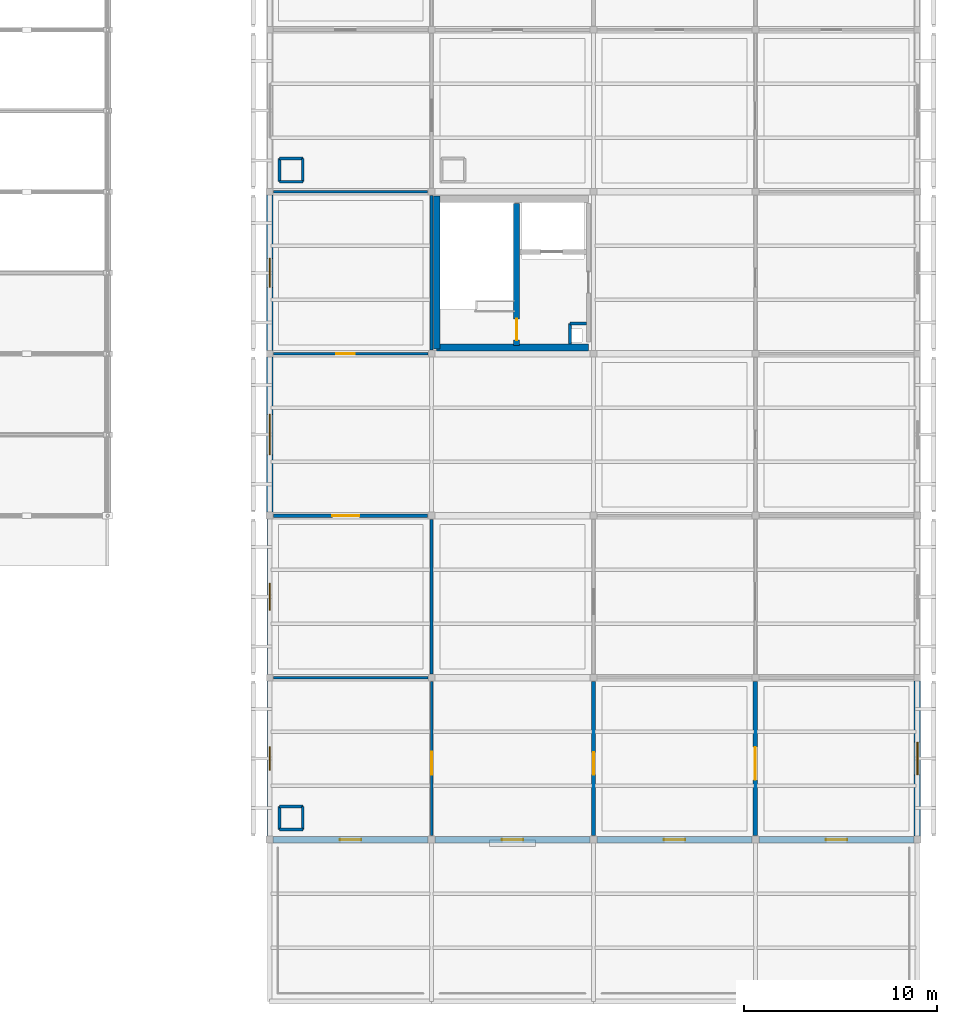
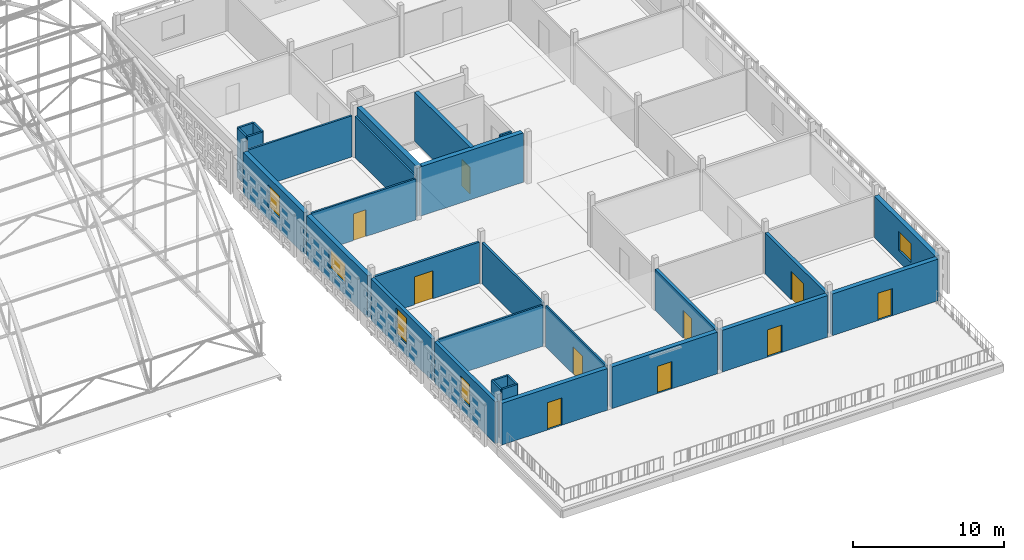
# One storey, part 74 of 103: 31 walls, 10 doors, 5 windows, 15 openings.
"""IFC4 building model written with IfcOpenShell, lengths in metres."""

from ifc_helpers import new_model, si_unit, direction, frame, frame_2d, origin, place, context, subcontext, project, spatial, rectangle, extrude, material, layer, layer_set, type_object, element, fill, save


model = new_model("IFC4")

# Units and contexts
model_context = context("Model", 3, precision=1e-05, world=origin(), true_north=direction((0.0, 1.0)))
body_context = subcontext(model_context, "Body", "Model", "MODEL_VIEW")
ifc_project = project(units=[si_unit("LENGTHUNIT", "METRE"), si_unit("AREAUNIT", "SQUARE_METRE"), si_unit("VOLUMEUNIT", "CUBIC_METRE"), si_unit("PLANEANGLEUNIT", "RADIAN"), si_unit("MASSUNIT", "GRAM", prefix="KILO")], contexts=[model_context])

# Site, building, storey
site_placement = place(None, origin())
site = spatial("IfcSite", under=ifc_project, at=site_placement, CompositionType="ELEMENT")
building_placement = place(site_placement, origin())
building = spatial("IfcBuilding", under=site, at=building_placement, Name="Varnapada Polytechnic", CompositionType="ELEMENT")
storey_placement = place(building_placement, frame((0.0, 0.0, 18.0)))
storey = spatial("IfcBuildingStorey", under=building, at=storey_placement, Name="L04", CompositionType="ELEMENT", Elevation=18.0)

# Walls
ifc_material_1 = material(Name="Autoclaved Aerated Concrete Block AAC-600", Category="concrete")
ifc_layer_1 = layer(ifc_material_1, 0.14990234375)
ifc_layer_set_1 = layer_set([ifc_layer_1], Name="Autoclaved Aerated Concrete Block AAC-600")
wall_type_1 = type_object("IfcWallType", Name="Interior Wall IW-02", PredefinedType="PARTITIONING", material=ifc_layer_set_1)
wall_1_placement = place(storey_placement, frame((158.3798828125, 93.9599609375, 0.0), z_axis=(0.0, 0.0, 1.0), x_axis=(0.0, -1.0, 0.0)))
element("IfcWall", 1, at=wall_1_placement, inside=storey, type_object=wall_type_1, Name="L04 C5 riser shaft west wall", PredefinedType="PARTITIONING", context=body_context, shape_type="SweptSolid", body=[
    extrude(rectangle(XDim=1.06005859375, YDim=0.14990234375, at=frame_2d((0.530029296875, 0.0))), origin(), (0.0, 0.0, 1.0), 3.320068359375),
])
wall_2_placement = place(storey_placement, frame((158.3798828125, 93.9599609375, 0.0), z_axis=(0.0, 0.0, 1.0), x_axis=(1.0, 0.0, 0.0)))
element("IfcWall", 2, at=wall_2_placement, inside=storey, type_object=wall_type_1, Name="L04 C5 riser shaft north wall", PredefinedType="PARTITIONING", context=body_context, shape_type="SweptSolid", body=[
    extrude(rectangle(XDim=0.860107421875, YDim=0.14990234375, at=frame_2d((0.43017578125, 0.0))), origin(), (0.0, 0.0, 1.0), 3.320068359375),
])
for number, where, z_axis, x_axis, name in (
    (3, (143.320068359375, 67.719970703125, 0.0), (0.0, 0.0, 1.0), (1.0, 0.0, 0.0), "L04 enclosed service riser wall (18,9) S"),
    (4, (144.52001953125, 67.719970703125, 0.0), (0.0, 0.0, 1.0), (0.0, 1.0, 0.0), "L04 enclosed service riser wall (18,9) E"),
    (5, (144.52001953125, 68.919921875, 0.0), (0.0, 0.0, 1.0), (-1.0, 0.0, 0.0), "L04 enclosed service riser wall (18,9) N"),
    (6, (143.320068359375, 68.919921875, 0.0), (0.0, 0.0, 1.0), (0.0, -1.0, 0.0), "L04 enclosed service riser wall (18,9) W"),
    (7, (143.320068359375, 101.320068359375, 0.0), (0.0, 0.0, 1.0), (1.0, 0.0, 0.0), "L04 enclosed service riser wall (18,13) S"),
    (8, (144.52001953125, 101.320068359375, 0.0), (0.0, 0.0, 1.0), (0.0, 1.0, 0.0), "L04 enclosed service riser wall (18,13) E"),
    (9, (144.52001953125, 102.52001953125, 0.0), (0.0, 0.0, 1.0), (-1.0, 0.0, 0.0), "L04 enclosed service riser wall (18,13) N"),
    (10, (143.320068359375, 102.52001953125, 0.0), (0.0, 0.0, 1.0), (0.0, -1.0, 0.0), "L04 enclosed service riser wall (18,13) W"),
):
    element("IfcWall", number, at=place(storey_placement, frame(where, z_axis=z_axis, x_axis=x_axis)), inside=storey, type_object=wall_type_1, Name=name, PredefinedType="PARTITIONING", context=body_context, shape_type="SweptSolid", body=[
        extrude(rectangle(XDim=1.199951171875, YDim=0.14990234375, at=frame_2d((0.60009765625, 0.0))), origin(), (0.0, 0.0, 1.0), 3.97998046875),
    ])

# Wall, opening, door
ifc_material_2 = material(Name="Gypsum Plasterboard Acoustic Partition")
ifc_layer_2 = layer(ifc_material_2, 0.125)
ifc_layer_set_2 = layer_set([ifc_layer_2], Name="Gypsum Plasterboard Acoustic Partition")
wall_type_2 = type_object("IfcWallType", Name="Interior Wall IW-03", PredefinedType="PARTITIONING", material=ifc_layer_set_2)
wall_3_placement = place(storey_placement, frame((151.199951171875, 67.39990234375, 0.0), z_axis=(0.0, 0.0, 1.0), x_axis=(0.0, 1.0, 0.0)))
wall_3 = element("IfcWall", 11, at=wall_3_placement, inside=storey, type_object=wall_type_2, Name="L04 interior partition IW-L04-17-08-V", PredefinedType="PARTITIONING", context=body_context, shape_type="SweptSolid", body=[
    extrude(rectangle(XDim=8.010009765625, YDim=0.125, at=frame_2d((4.0048828125, 0.0))), origin(), (0.0, 0.0, 1.0), 3.320068359375),
])
opening_1_placement = place(wall_3_placement, frame((3.14990234375, 0.0, 0.0)))
opening_1 = element("IfcOpeningElement", 12, at=opening_1_placement, cuts=wall_3, Name="Opening D-1295", PredefinedType="OPENING", context=body_context, shape_type="SweptSolid", body=[
    extrude(rectangle(XDim=1.199951171875, YDim=2.199951171875, at=frame_2d((0.60009765625, 1.10009765625))), frame((0.0, 0.072509765625, 0.0), z_axis=(0.0, -1.0, 0.0), x_axis=(1.0, 0.0, 0.0)), (0.0, 0.0, 1.0), 0.14501953125),
])
ifc_material_3 = material(Name="Solid Teak Hardwood Timber", Category="wood")
door_type_1 = type_object("IfcDoorType", Name="Interior Door ID-05", OperationType="NOTDEFINED", PredefinedType="DOOR", material=ifc_material_3)
door_1_placement = place(opening_1_placement, frame((1.199951171875, 0.0, 0.0), z_axis=(0.0, 0.0, 1.0), x_axis=(-1.0, 0.0, 0.0)))
door_1 = element("IfcDoor", 13, at=door_1_placement, inside=storey, type_object=door_type_1, Name="L04 interior room door D-1295", OperationType="SINGLE_SWING_RIGHT", OverallHeight=2.199951171875, OverallWidth=1.199951171875, PredefinedType="DOOR", context=body_context, shape_type="SweptSolid", body=[
    extrude(rectangle(XDim=1.199951171875, YDim=2.199951171875, at=frame_2d((0.60009765625, 1.10009765625))), frame((0.0, 0.02490234375, 0.0), z_axis=(0.0, -1.0, 0.0), x_axis=(1.0, 0.0, 0.0)), (0.0, 0.0, 1.0), 0.050048828125),
])
fill(opening_1, door_1)

# Wall
ifc_material_4 = material(Name="Moisture-Resistant Cement Board Partition")
ifc_layer_3 = layer(ifc_material_4, 0.139892578125)
ifc_layer_set_3 = layer_set([ifc_layer_3], Name="Moisture-Resistant Cement Board Partition")
wall_type_3 = type_object("IfcWallType", Name="Interior Wall IW-04", PredefinedType="PARTITIONING", material=ifc_layer_set_3)
wall_4_placement = place(storey_placement, frame((142.989990234375, 75.60009765625, 0.0), z_axis=(0.0, 0.0, 1.0), x_axis=(1.0, 0.0, 0.0)))
element("IfcWall", 14, at=wall_4_placement, inside=storey, type_object=wall_type_3, Name="L04 interior partition IW-L04-17-08-H", PredefinedType="PARTITIONING", context=body_context, shape_type="SweptSolid", body=[
    extrude(rectangle(XDim=8.02001953125, YDim=0.139892578125, at=frame_2d((4.010009765625, 0.0))), origin(), (0.0, 0.0, 1.0), 3.320068359375),
])

# Wall, opening, door
wall_5_placement = place(storey_placement, frame((142.989990234375, 92.39990234375, 0.0), z_axis=(0.0, 0.0, 1.0), x_axis=(1.0, 0.0, 0.0)))
wall_5 = element("IfcWall", 15, at=wall_5_placement, inside=storey, type_object=wall_type_3, Name="L04 interior partition IW-L04-17-10-H", PredefinedType="PARTITIONING", context=body_context, shape_type="SweptSolid", body=[
    extrude(rectangle(XDim=8.02001953125, YDim=0.139892578125, at=frame_2d((4.010009765625, 0.0))), origin(), (0.0, 0.0, 1.0), 3.320068359375),
])
opening_2_placement = place(wall_5_placement, frame((3.27490234375, 0.0, 0.0)))
opening_2 = element("IfcOpeningElement", 16, at=opening_2_placement, cuts=wall_5, Name="Opening D-1297", PredefinedType="OPENING", context=body_context, shape_type="SweptSolid", body=[
    extrude(rectangle(XDim=0.949951171875, YDim=2.14990234375, at=frame_2d((0.47509765625, 1.074951171875))), frame((0.0, 0.079833984375, 0.0), z_axis=(0.0, -1.0, 0.0), x_axis=(1.0, 0.0, 0.0)), (0.0, 0.0, 1.0), 0.159912109375),
])
ifc_material_5 = material(Name="Moisture-Resistant HPL Timber", Category="wood")
door_type_2 = type_object("IfcDoorType", Name="Interior Door ID-03", OperationType="NOTDEFINED", PredefinedType="DOOR", material=ifc_material_5)
door_2_placement = place(opening_2_placement, origin())
door_2 = element("IfcDoor", 17, at=door_2_placement, inside=storey, type_object=door_type_2, Name="L04 interior room door D-1297", OperationType="SINGLE_SWING_RIGHT", OverallHeight=2.14990234375, OverallWidth=0.949951171875, PredefinedType="DOOR", context=body_context, shape_type="SweptSolid", body=[
    extrude(rectangle(XDim=0.949951171875, YDim=2.14990234375, at=frame_2d((0.47509765625, 1.074951171875))), frame((0.0, 0.02490234375, 0.0), z_axis=(0.0, -1.0, 0.0), x_axis=(1.0, 0.0, 0.0)), (0.0, 0.0, 1.0), 0.050048828125),
])
fill(opening_2, door_2)

# Walls
wall_6_placement = place(storey_placement, frame((151.199951171875, 92.590087890625, 0.0), z_axis=(0.0, 0.0, 1.0), x_axis=(0.0, 1.0, 0.0)))
element("IfcWall", 18, at=wall_6_placement, inside=storey, type_object=wall_type_3, Name="L04 interior partition IW-L04-17-11-V", PredefinedType="PARTITIONING", context=body_context, shape_type="SweptSolid", body=[
    extrude(rectangle(XDim=8.010009765625, YDim=0.139892578125, at=frame_2d((4.0048828125, 0.0))), origin(), (0.0, 0.0, 1.0), 3.320068359375),
])
wall_7_placement = place(storey_placement, frame((143.0, 100.800048828125, 0.0), z_axis=(0.0, 0.0, 1.0), x_axis=(1.0, 0.0, 0.0)))
element("IfcWall", 19, at=wall_7_placement, inside=storey, type_object=wall_type_3, Name="L04 interior partition IW-L04-17-11-H", PredefinedType="PARTITIONING", context=body_context, shape_type="SweptSolid", body=[
    extrude(rectangle(XDim=8.0, YDim=0.139892578125, at=frame_2d((4.0, 0.0))), origin(), (0.0, 0.0, 1.0), 3.320068359375),
])
ifc_material_6 = material(Name="Cross-laminated timber CLT C24", Category="wood")
ifc_layer_4 = layer(ifc_material_6, 0.159912109375)
ifc_layer_set_4 = layer_set([ifc_layer_4], Name="Cross-laminated timber CLT C24")
wall_type_4 = type_object("IfcWallType", Name="Interior Wall IW-05", PredefinedType="PARTITIONING", material=ifc_layer_set_4)
wall_8_placement = place(storey_placement, frame((151.199951171875, 75.7900390625, 0.0), z_axis=(0.0, 0.0, 1.0), x_axis=(0.0, 1.0, 0.0)))
element("IfcWall", 20, at=wall_8_placement, inside=storey, type_object=wall_type_4, Name="L04 interior partition IW-L04-17-09-V", PredefinedType="PARTITIONING", context=body_context, shape_type="SweptSolid", body=[
    extrude(rectangle(XDim=8.010009765625, YDim=0.159912109375, at=frame_2d((4.0048828125, 0.0))), origin(), (0.0, 0.0, 1.0), 3.320068359375),
])

# Wall, opening, door
ifc_material_7 = material(Name="Acoustic Double-Stud Studio Partition")
ifc_layer_5 = layer(ifc_material_7, 0.179931640625)
ifc_layer_set_5 = layer_set([ifc_layer_5], Name="Acoustic Double-Stud Studio Partition")
wall_type_5 = type_object("IfcWallType", Name="Interior Wall IW-06", PredefinedType="PARTITIONING", material=ifc_layer_set_5)
wall_9_placement = place(storey_placement, frame((143.0, 84.0, 0.0), z_axis=(0.0, 0.0, 1.0), x_axis=(1.0, 0.0, 0.0)))
wall_9 = element("IfcWall", 21, at=wall_9_placement, inside=storey, type_object=wall_type_5, Name="L04 interior partition IW-L04-17-09-H", PredefinedType="PARTITIONING", context=body_context, shape_type="SweptSolid", body=[
    extrude(rectangle(XDim=8.0, YDim=0.179931640625, at=frame_2d((4.0, 0.0))), origin(), (0.0, 0.0, 1.0), 3.320068359375),
])
opening_3_placement = place(wall_9_placement, frame((3.050048828125, 0.0, 0.0)))
opening_3 = element("IfcOpeningElement", 22, at=opening_3_placement, cuts=wall_9, Name="Opening D-1296", PredefinedType="OPENING", context=body_context, shape_type="SweptSolid", body=[
    extrude(rectangle(XDim=1.39990234375, YDim=2.25, at=frame_2d((0.699951171875, 1.125))), frame((0.0, 0.099853515625, 0.0), z_axis=(0.0, -1.0, 0.0), x_axis=(1.0, 0.0, 0.0)), (0.0, 0.0, 1.0), 0.199951171875),
])
ifc_material_8 = material(Name="Powder-Coated Aluminium 6063-T6", Category="aluminium")
door_type_3 = type_object("IfcDoorType", Name="Interior Door ID-06", OperationType="NOTDEFINED", PredefinedType="DOOR", material=ifc_material_8)
door_3_placement = place(opening_3_placement, origin())
door_3 = element("IfcDoor", 23, at=door_3_placement, inside=storey, type_object=door_type_3, Name="L04 interior room door D-1296", OperationType="SINGLE_SWING_LEFT", OverallHeight=2.25, OverallWidth=1.39990234375, PredefinedType="DOOR", context=body_context, shape_type="SweptSolid", body=[
    extrude(rectangle(XDim=1.39990234375, YDim=2.25, at=frame_2d((0.699951171875, 1.125))), frame((0.0, 0.02490234375, 0.0), z_axis=(0.0, -1.0, 0.0), x_axis=(1.0, 0.0, 0.0)), (0.0, 0.0, 1.0), 0.050048828125),
])
fill(opening_3, door_3)

ifc_material_9 = material(Name="Heavy Acoustic Auditorium Baffle Wall")
ifc_layer_6 = layer(ifc_material_9, 0.219970703125)
ifc_layer_set_6 = layer_set([ifc_layer_6], Name="Heavy Acoustic Auditorium Baffle Wall")
wall_type_6 = type_object("IfcWallType", Name="Interior Wall IW-13", PredefinedType="PARTITIONING", material=ifc_layer_set_6)
wall_10_placement = place(storey_placement, frame((159.60009765625, 67.39990234375, 0.0), z_axis=(0.0, 0.0, 1.0), x_axis=(0.0, 1.0, 0.0)))
wall_10 = element("IfcWall", 24, at=wall_10_placement, inside=storey, type_object=wall_type_6, Name="L04 interior partition IW-L04-18-08-V", PredefinedType="PARTITIONING", context=body_context, shape_type="SweptSolid", body=[
    extrude(rectangle(XDim=8.010009765625, YDim=0.219970703125, at=frame_2d((4.0048828125, 0.0))), origin(), (0.0, 0.0, 1.0), 3.320068359375),
])
opening_4_placement = place(wall_10_placement, frame((3.175048828125, 0.0, 0.0)))
opening_4 = element("IfcOpeningElement", 25, at=opening_4_placement, cuts=wall_10, Name="Opening D-1300", PredefinedType="OPENING", context=body_context, shape_type="SweptSolid", body=[
    extrude(rectangle(XDim=1.14990234375, YDim=2.25, at=frame_2d((0.574951171875, 1.125))), frame((0.0, 0.119873046875, 0.0), z_axis=(0.0, -1.0, 0.0), x_axis=(1.0, 0.0, 0.0)), (0.0, 0.0, 1.0), 0.239990234375),
])
door_type_4 = type_object("IfcDoorType", Name="Interior Door ID-10", OperationType="NOTDEFINED", PredefinedType="DOOR", material=ifc_material_8)
door_4_placement = place(opening_4_placement, origin())
door_4 = element("IfcDoor", 26, at=door_4_placement, inside=storey, type_object=door_type_4, Name="L04 interior room door D-1300", OperationType="SINGLE_SWING_LEFT", OverallHeight=2.25, OverallWidth=1.14990234375, PredefinedType="DOOR", context=body_context, shape_type="SweptSolid", body=[
    extrude(rectangle(XDim=1.14990234375, YDim=2.25, at=frame_2d((0.574951171875, 1.125))), frame((0.0, 0.02490234375, 0.0), z_axis=(0.0, -1.0, 0.0), x_axis=(1.0, 0.0, 0.0)), (0.0, 0.0, 1.0), 0.050048828125),
])
fill(opening_4, door_4)

ifc_material_10 = material(Name="Double-Leaf Acoustic Lecture Wall")
ifc_layer_7 = layer(ifc_material_10, 0.235107421875)
ifc_layer_set_7 = layer_set([ifc_layer_7], Name="Double-Leaf Acoustic Lecture Wall")
wall_type_7 = type_object("IfcWallType", Name="Interior Wall IW-17", PredefinedType="PARTITIONING", material=ifc_layer_set_7)
wall_11_placement = place(storey_placement, frame((168.0, 67.39990234375, 0.0), z_axis=(0.0, 0.0, 1.0), x_axis=(0.0, 1.0, 0.0)))
wall_11 = element("IfcWall", 27, at=wall_11_placement, inside=storey, type_object=wall_type_7, Name="L04 interior partition IW-L04-19-08-V", PredefinedType="PARTITIONING", context=body_context, shape_type="SweptSolid", body=[
    extrude(rectangle(XDim=8.010009765625, YDim=0.235107421875, at=frame_2d((4.0048828125, 0.0))), origin(), (0.0, 0.0, 1.0), 3.320068359375),
])
opening_5_placement = place(wall_11_placement, frame((2.89990234375, 0.0, 0.0)))
opening_5 = element("IfcOpeningElement", 28, at=opening_5_placement, cuts=wall_11, Name="Opening D-1303", PredefinedType="OPENING", context=body_context, shape_type="SweptSolid", body=[
    extrude(rectangle(XDim=1.699951171875, YDim=2.300048828125, at=frame_2d((0.85009765625, 1.14990234375))), frame((0.0, 0.12744140625, 0.0), z_axis=(0.0, -1.0, 0.0), x_axis=(1.0, 0.0, 0.0)), (0.0, 0.0, 1.0), 0.255126953125),
])
ifc_material_11 = material(Name="Acoustic Double Timber Leaf", Category="wood")
door_type_5 = type_object("IfcDoorType", Name="Interior Door ID-13", OperationType="NOTDEFINED", PredefinedType="DOOR", material=ifc_material_11)
door_5_placement = place(opening_5_placement, origin())
door_5 = element("IfcDoor", 29, at=door_5_placement, inside=storey, type_object=door_type_5, Name="L04 interior room door D-1303", OperationType="SINGLE_SWING_RIGHT", OverallHeight=2.300048828125, OverallWidth=1.699951171875, PredefinedType="DOOR", context=body_context, shape_type="SweptSolid", body=[
    extrude(rectangle(XDim=1.699951171875, YDim=2.300048828125, at=frame_2d((0.85009765625, 1.14990234375))), frame((0.0, 0.02490234375, 0.0), z_axis=(0.0, -1.0, 0.0), x_axis=(1.0, 0.0, 0.0)), (0.0, 0.0, 1.0), 0.050048828125),
])
fill(opening_5, door_5)

# Walls
ifc_material_12 = material(Name="Concrete C40/50", Category="concrete")
ifc_layer_8 = layer(ifc_material_12, 0.35009765625)
ifc_layer_set_8 = layer_set([ifc_layer_8], Name="Concrete C40/50")
wall_type_8 = type_object("IfcWallType", Name="Interior Wall SW-01", PredefinedType="SHEAR", material=ifc_layer_set_8)
wall_12_placement = place(storey_placement, frame((151.465087890625, 92.64990234375, 0.0), z_axis=(0.0, 0.0, 1.0), x_axis=(0.0, 1.0, 0.0)))
element("IfcWall", 30, at=wall_12_placement, inside=storey, type_object=wall_type_8, Name="L04 C5 stair west shear wall", PredefinedType="SHEAR", context=body_context, shape_type="SweptSolid", body=[
    extrude(rectangle(XDim=7.940185546875, YDim=0.35009765625, at=frame_2d((3.97021484375, 0.0))), origin(), (0.0, 0.0, 1.0), 3.97998046875),
])
wall_13_placement = place(storey_placement, frame((159.340087890625, 92.719970703125, 0.0), z_axis=(0.0, 0.0, 1.0), x_axis=(-1.0, 0.0, 0.0)))
element("IfcWall", 31, at=wall_13_placement, inside=storey, type_object=wall_type_8, Name="L04 C5 core south shear wall", PredefinedType="SHEAR", context=body_context, shape_type="SweptSolid", body=[
    extrude(rectangle(XDim=7.875, YDim=0.35009765625, at=frame_2d((3.9375, 0.0))), origin(), (0.0, 0.0, 1.0), 3.97998046875),
])

# Wall, opening, door
ifc_layer_9 = layer(ifc_material_12, 0.300048828125)
ifc_layer_set_9 = layer_set([ifc_layer_9], Name="Concrete C40/50")
wall_type_9 = type_object("IfcWallType", Name="Interior Wall SW-02", PredefinedType="SHEAR", material=ifc_layer_set_9)
wall_14_placement = place(storey_placement, frame((155.610107421875, 92.820068359375, 0.0), z_axis=(0.0, 0.0, 1.0), x_axis=(0.0, 1.0, 0.0)))
wall_14 = element("IfcWall", 32, at=wall_14_placement, inside=storey, type_object=wall_type_9, Name="L04 C5 stair-lobby dividing shear wall", PredefinedType="SHEAR", context=body_context, shape_type="SweptSolid", body=[
    extrude(rectangle(XDim=7.3798828125, YDim=0.300048828125, at=frame_2d((3.68994140625, 0.0))), origin(), (0.0, 0.0, 1.0), 3.97998046875),
])
opening_6_placement = place(wall_14_placement, frame((0.280029296875, 0.0, 0.0)))
opening_6 = element("IfcOpeningElement", 33, at=opening_6_placement, cuts=wall_14, Name="Opening D-1266", PredefinedType="OPENING", context=body_context, shape_type="SweptSolid", body=[
    extrude(rectangle(XDim=1.10009765625, YDim=2.14990234375, at=frame_2d((0.550048828125, 1.074951171875))), frame((0.0, 0.159912109375, 0.0), z_axis=(0.0, -1.0, 0.0), x_axis=(1.0, 0.0, 0.0)), (0.0, 0.0, 1.0), 0.320068359375),
])
ifc_material_13 = material(Name="Galvanized Steel Z275", Category="steel")
door_type_6 = type_object("IfcDoorType", Name="Interior Door ID-01", OperationType="NOTDEFINED", PredefinedType="DOOR", material=ifc_material_13)
door_6_placement = place(opening_6_placement, origin())
door_6 = element("IfcDoor", 34, at=door_6_placement, inside=storey, type_object=door_type_6, Name="L04 C5 exit stair door D-1266", OperationType="SINGLE_SWING_LEFT", OverallHeight=2.14990234375, OverallWidth=1.10009765625, PredefinedType="DOOR", context=body_context, shape_type="SweptSolid", body=[
    extrude(rectangle(XDim=1.10009765625, YDim=2.14990234375, at=frame_2d((0.550048828125, 1.074951171875))), frame((0.0, 0.02490234375, 0.0), z_axis=(0.0, -1.0, 0.0), x_axis=(1.0, 0.0, 0.0)), (0.0, 0.0, 1.0), 0.050048828125),
])
fill(opening_6, door_6)

# Wall, opening, window
ifc_material_14 = material(Name="Precast concrete C40/50", Category="concrete")
ifc_layer_10 = layer(ifc_material_14, 0.260009765625)
ifc_layer_set_10 = layer_set([ifc_layer_10], Name="Precast concrete C40/50")
wall_type_10 = type_object("IfcWallType", Name="Wall EW-03", PredefinedType="SOLIDWALL", material=ifc_layer_set_10)
wall_15_placement = place(storey_placement, frame((142.800048828125, 67.3798828125, 0.0), z_axis=(0.0, 0.0, 1.0), x_axis=(0.0, 1.0, 0.0)))
wall_15 = element("IfcWall", 35, at=wall_15_placement, inside=storey, type_object=wall_type_10, Name="L04 exterior wall EW-03 (42)", PredefinedType="SOLIDWALL", context=body_context, shape_type="SweptSolid", body=[
    extrude(rectangle(XDim=8.050048828125, YDim=0.260009765625, at=frame_2d((4.02490234375, 0.0))), origin(), (0.0, 0.0, 1.0), 3.360107421875),
])
opening_7_placement = place(wall_15_placement, frame((3.425048828125, 0.0, 0.89990234375)))
opening_7 = element("IfcOpeningElement", 36, at=opening_7_placement, cuts=wall_15, Name="Opening WN-01", PredefinedType="OPENING", context=body_context, shape_type="SweptSolid", body=[
    extrude(rectangle(XDim=1.199951171875, YDim=1.800048828125, at=frame_2d((0.60009765625, 0.89990234375))), frame((0.0, 0.139892578125, 0.0), z_axis=(0.0, -1.0, 0.0), x_axis=(1.0, 0.0, 0.0)), (0.0, 0.0, 1.0), 0.280029296875),
])
ifc_material_15 = material(Name="Double low-E laminated glass", Category="glass")
window_type_1 = type_object("IfcWindowType", Name="Window WN-01", PartitioningType="SINGLE_PANEL", PredefinedType="WINDOW", material=ifc_material_15)
window_1_placement = place(opening_7_placement, origin())
window_1 = element("IfcWindow", 37, at=window_1_placement, inside=storey, type_object=window_type_1, Name="L04 window WN-01 (215)", OverallHeight=1.800048828125, OverallWidth=1.199951171875, PartitioningType="SINGLE_PANEL", PredefinedType="WINDOW", context=body_context, shape_type="SweptSolid", body=[
    extrude(rectangle(XDim=1.199951171875, YDim=1.800048828125, at=frame_2d((0.60009765625, 0.89990234375))), frame((0.0, 0.030029296875, 0.0), z_axis=(0.0, -1.0, 0.0), x_axis=(1.0, 0.0, 0.0)), (0.0, 0.0, 1.0), 0.06005859375),
])
fill(opening_7, window_1)

wall_16_placement = place(storey_placement, frame((142.800048828125, 75.77001953125, 0.0), z_axis=(0.0, 0.0, 1.0), x_axis=(0.0, 1.0, 0.0)))
wall_16 = element("IfcWall", 38, at=wall_16_placement, inside=storey, type_object=wall_type_10, Name="L04 exterior wall EW-03 (43)", PredefinedType="SOLIDWALL", context=body_context, shape_type="SweptSolid", body=[
    extrude(rectangle(XDim=8.050048828125, YDim=0.260009765625, at=frame_2d((4.02490234375, 0.0))), origin(), (0.0, 0.0, 1.0), 3.360107421875),
])
opening_8_placement = place(wall_16_placement, frame((3.324951171875, 0.0, 0.89990234375)))
opening_8 = element("IfcOpeningElement", 39, at=opening_8_placement, cuts=wall_16, Name="Opening WN-04", PredefinedType="OPENING", context=body_context, shape_type="SweptSolid", body=[
    extrude(rectangle(XDim=1.39990234375, YDim=2.10009765625, at=frame_2d((0.699951171875, 1.050048828125))), frame((0.0, 0.139892578125, 0.0), z_axis=(0.0, -1.0, 0.0), x_axis=(1.0, 0.0, 0.0)), (0.0, 0.0, 1.0), 0.280029296875),
])
window_type_2 = type_object("IfcWindowType", Name="Window WN-04", PartitioningType="SINGLE_PANEL", PredefinedType="WINDOW", material=ifc_material_15)
window_2_placement = place(opening_8_placement, origin())
window_2 = element("IfcWindow", 40, at=window_2_placement, inside=storey, type_object=window_type_2, Name="L04 window WN-04 (216)", OverallHeight=2.10009765625, OverallWidth=1.39990234375, PartitioningType="SINGLE_PANEL", PredefinedType="WINDOW", context=body_context, shape_type="SweptSolid", body=[
    extrude(rectangle(XDim=1.39990234375, YDim=2.10009765625, at=frame_2d((0.699951171875, 1.050048828125))), frame((0.0, 0.030029296875, 0.0), z_axis=(0.0, -1.0, 0.0), x_axis=(1.0, 0.0, 0.0)), (0.0, 0.0, 1.0), 0.06005859375),
])
fill(opening_8, window_2)

# Wall, opening, door
ifc_layer_11 = layer(ifc_material_14, 0.340087890625)
ifc_layer_set_11 = layer_set([ifc_layer_11], Name="Precast concrete C40/50")
wall_type_11 = type_object("IfcWallType", Name="Wall EW-07", PredefinedType="SOLIDWALL", material=ifc_layer_set_11)
wall_17_placement = place(storey_placement, frame((151.02001953125, 67.199951171875, 0.0), z_axis=(0.0, 0.0, 1.0), x_axis=(-1.0, 0.0, 0.0)))
wall_17 = element("IfcWall", 41, at=wall_17_placement, inside=storey, type_object=wall_type_11, Name="L04 exterior wall EW-07 (41)", PredefinedType="SOLIDWALL", context=body_context, shape_type="SweptSolid", body=[
    extrude(rectangle(XDim=8.0400390625, YDim=0.340087890625, at=frame_2d((4.02001953125, 0.0))), origin(), (0.0, 0.0, 1.0), 3.360107421875),
])
opening_9_placement = place(wall_17_placement, frame((3.469970703125, 0.0, 0.0)))
opening_9 = element("IfcOpeningElement", 42, at=opening_9_placement, cuts=wall_17, Name="Opening D-049", PredefinedType="OPENING", context=body_context, shape_type="SweptSolid", body=[
    extrude(rectangle(XDim=1.10009765625, YDim=2.199951171875, at=frame_2d((0.550048828125, 1.10009765625))), frame((0.0, 0.179931640625, 0.0), z_axis=(0.0, -1.0, 0.0), x_axis=(1.0, 0.0, 0.0)), (0.0, 0.0, 1.0), 0.360107421875),
])
ifc_material_16 = material(Name="Anodised aluminium and laminated glass", Category="aluminium")
door_type_7 = type_object("IfcDoorType", Name="Exterior Door ED-03", OperationType="NOTDEFINED", PredefinedType="DOOR", material=ifc_material_16)
door_7_placement = place(opening_9_placement, origin())
door_7 = element("IfcDoor", 43, at=door_7_placement, inside=storey, type_object=door_type_7, Name="L04 roof terrace access door D-049", OperationType="SINGLE_SWING_RIGHT", OverallHeight=2.199951171875, OverallWidth=1.10009765625, PredefinedType="DOOR", context=body_context, shape_type="SweptSolid", body=[
    extrude(rectangle(XDim=1.10009765625, YDim=2.199951171875, at=frame_2d((0.550048828125, 1.10009765625))), frame((0.0, 0.02490234375, 0.0), z_axis=(0.0, -1.0, 0.0), x_axis=(1.0, 0.0, 0.0)), (0.0, 0.0, 1.0), 0.050048828125),
])
fill(opening_9, door_7)

# Wall, opening, window
wall_18_placement = place(storey_placement, frame((142.800048828125, 84.179931640625, 0.0), z_axis=(0.0, 0.0, 1.0), x_axis=(0.0, 1.0, 0.0)))
wall_18 = element("IfcWall", 44, at=wall_18_placement, inside=storey, type_object=wall_type_11, Name="L04 exterior wall EW-07 (44)", PredefinedType="SOLIDWALL", context=body_context, shape_type="SweptSolid", body=[
    extrude(rectangle(XDim=8.050048828125, YDim=0.340087890625, at=frame_2d((4.02490234375, 0.0))), origin(), (0.0, 0.0, 1.0), 3.360107421875),
])
opening_10_placement = place(wall_18_placement, frame((2.97509765625, 0.0, 0.89990234375)))
opening_10 = element("IfcOpeningElement", 45, at=opening_10_placement, cuts=wall_18, Name="Opening WN-07", PredefinedType="OPENING", context=body_context, shape_type="SweptSolid", body=[
    extrude(rectangle(XDim=2.10009765625, YDim=1.60009765625, at=frame_2d((1.050048828125, 0.800048828125))), frame((0.0, 0.179931640625, 0.0), z_axis=(0.0, -1.0, 0.0), x_axis=(1.0, 0.0, 0.0)), (0.0, 0.0, 1.0), 0.360107421875),
])
window_type_3 = type_object("IfcWindowType", Name="Window WN-07", PartitioningType="SINGLE_PANEL", PredefinedType="WINDOW", material=ifc_material_15)
window_3_placement = place(opening_10_placement, origin())
window_3 = element("IfcWindow", 46, at=window_3_placement, inside=storey, type_object=window_type_3, Name="L04 window WN-07 (217)", OverallHeight=1.60009765625, OverallWidth=2.10009765625, PartitioningType="SINGLE_PANEL", PredefinedType="WINDOW", context=body_context, shape_type="SweptSolid", body=[
    extrude(rectangle(XDim=2.10009765625, YDim=1.60009765625, at=frame_2d((1.050048828125, 0.800048828125))), frame((0.0, 0.030029296875, 0.0), z_axis=(0.0, -1.0, 0.0), x_axis=(1.0, 0.0, 0.0)), (0.0, 0.0, 1.0), 0.06005859375),
])
fill(opening_10, window_3)

wall_19_placement = place(storey_placement, frame((142.800048828125, 92.570068359375, 0.0), z_axis=(0.0, 0.0, 1.0), x_axis=(0.0, 1.0, 0.0)))
wall_19 = element("IfcWall", 47, at=wall_19_placement, inside=storey, type_object=wall_type_11, Name="L04 exterior wall EW-07 (45)", PredefinedType="SOLIDWALL", context=body_context, shape_type="SweptSolid", body=[
    extrude(rectangle(XDim=8.050048828125, YDim=0.340087890625, at=frame_2d((4.02490234375, 0.0))), origin(), (0.0, 0.0, 1.0), 3.360107421875),
])
opening_11_placement = place(wall_19_placement, frame((3.27490234375, 0.0, 0.89990234375)))
opening_11 = element("IfcOpeningElement", 48, at=opening_11_placement, cuts=wall_19, Name="Opening WN-10", PredefinedType="OPENING", context=body_context, shape_type="SweptSolid", body=[
    extrude(rectangle(XDim=1.5, YDim=1.85009765625, at=frame_2d((0.75, 0.925048828125))), frame((0.0, 0.179931640625, 0.0), z_axis=(0.0, -1.0, 0.0), x_axis=(1.0, 0.0, 0.0)), (0.0, 0.0, 1.0), 0.360107421875),
])
window_type_4 = type_object("IfcWindowType", Name="Window WN-10", PartitioningType="SINGLE_PANEL", PredefinedType="WINDOW", material=ifc_material_15)
window_4_placement = place(opening_11_placement, origin())
window_4 = element("IfcWindow", 49, at=window_4_placement, inside=storey, type_object=window_type_4, Name="L04 window WN-10 (218)", OverallHeight=1.85009765625, OverallWidth=1.5, PartitioningType="SINGLE_PANEL", PredefinedType="WINDOW", context=body_context, shape_type="SweptSolid", body=[
    extrude(rectangle(XDim=1.5, YDim=1.85009765625, at=frame_2d((0.75, 0.925048828125))), frame((0.0, 0.030029296875, 0.0), z_axis=(0.0, -1.0, 0.0), x_axis=(1.0, 0.0, 0.0)), (0.0, 0.0, 1.0), 0.06005859375),
])
fill(opening_11, window_4)

# Wall, opening, door
wall_20_placement = place(storey_placement, frame((159.419921875, 67.199951171875, 0.0), z_axis=(0.0, 0.0, 1.0), x_axis=(-1.0, 0.0, 0.0)))
wall_20 = element("IfcWall", 50, at=wall_20_placement, inside=storey, type_object=wall_type_11, Name="L04 exterior wall EW-07 (49)", PredefinedType="SOLIDWALL", context=body_context, shape_type="SweptSolid", body=[
    extrude(rectangle(XDim=8.0400390625, YDim=0.340087890625, at=frame_2d((4.02001953125, 0.0))), origin(), (0.0, 0.0, 1.0), 3.360107421875),
])
opening_12_placement = place(wall_20_placement, frame((3.469970703125, 0.0, 0.0)))
opening_12 = element("IfcOpeningElement", 51, at=opening_12_placement, cuts=wall_20, Name="Opening D-050", PredefinedType="OPENING", context=body_context, shape_type="SweptSolid", body=[
    extrude(rectangle(XDim=1.10009765625, YDim=2.199951171875, at=frame_2d((0.550048828125, 1.10009765625))), frame((0.0, 0.179931640625, 0.0), z_axis=(0.0, -1.0, 0.0), x_axis=(1.0, 0.0, 0.0)), (0.0, 0.0, 1.0), 0.360107421875),
])
door_8_placement = place(opening_12_placement, origin())
door_8 = element("IfcDoor", 52, at=door_8_placement, inside=storey, type_object=door_type_7, Name="L04 roof terrace access door D-050", OperationType="SINGLE_SWING_LEFT", OverallHeight=2.199951171875, OverallWidth=1.10009765625, PredefinedType="DOOR", context=body_context, shape_type="SweptSolid", body=[
    extrude(rectangle(XDim=1.10009765625, YDim=2.199951171875, at=frame_2d((0.550048828125, 1.10009765625))), frame((0.0, 0.02490234375, 0.0), z_axis=(0.0, -1.0, 0.0), x_axis=(1.0, 0.0, 0.0)), (0.0, 0.0, 1.0), 0.050048828125),
])
fill(opening_12, door_8)

wall_21_placement = place(storey_placement, frame((167.820068359375, 67.199951171875, 0.0), z_axis=(0.0, 0.0, 1.0), x_axis=(-1.0, 0.0, 0.0)))
wall_21 = element("IfcWall", 53, at=wall_21_placement, inside=storey, type_object=wall_type_11, Name="L04 exterior wall EW-07 (51)", PredefinedType="SOLIDWALL", context=body_context, shape_type="SweptSolid", body=[
    extrude(rectangle(XDim=8.0400390625, YDim=0.340087890625, at=frame_2d((4.02001953125, 0.0))), origin(), (0.0, 0.0, 1.0), 3.360107421875),
])
opening_13_placement = place(wall_21_placement, frame((3.469970703125, 0.0, 0.0)))
opening_13 = element("IfcOpeningElement", 54, at=opening_13_placement, cuts=wall_21, Name="Opening D-051", PredefinedType="OPENING", context=body_context, shape_type="SweptSolid", body=[
    extrude(rectangle(XDim=1.10009765625, YDim=2.199951171875, at=frame_2d((0.550048828125, 1.10009765625))), frame((0.0, 0.179931640625, 0.0), z_axis=(0.0, -1.0, 0.0), x_axis=(1.0, 0.0, 0.0)), (0.0, 0.0, 1.0), 0.360107421875),
])
door_9_placement = place(opening_13_placement, origin())
door_9 = element("IfcDoor", 55, at=door_9_placement, inside=storey, type_object=door_type_7, Name="L04 roof terrace access door D-051", OperationType="SINGLE_SWING_RIGHT", OverallHeight=2.199951171875, OverallWidth=1.10009765625, PredefinedType="DOOR", context=body_context, shape_type="SweptSolid", body=[
    extrude(rectangle(XDim=1.10009765625, YDim=2.199951171875, at=frame_2d((0.550048828125, 1.10009765625))), frame((0.0, 0.02490234375, 0.0), z_axis=(0.0, -1.0, 0.0), x_axis=(1.0, 0.0, 0.0)), (0.0, 0.0, 1.0), 0.050048828125),
])
fill(opening_13, door_9)

wall_22_placement = place(storey_placement, frame((176.219970703125, 67.199951171875, 0.0), z_axis=(0.0, 0.0, 1.0), x_axis=(-1.0, 0.0, 0.0)))
wall_22 = element("IfcWall", 56, at=wall_22_placement, inside=storey, type_object=wall_type_11, Name="L04 exterior wall EW-07 (53)", PredefinedType="SOLIDWALL", context=body_context, shape_type="SweptSolid", body=[
    extrude(rectangle(XDim=8.0400390625, YDim=0.340087890625, at=frame_2d((4.02001953125, 0.0))), origin(), (0.0, 0.0, 1.0), 3.360107421875),
])
opening_14_placement = place(wall_22_placement, frame((3.469970703125, 0.0, 0.0)))
opening_14 = element("IfcOpeningElement", 57, at=opening_14_placement, cuts=wall_22, Name="Opening D-052", PredefinedType="OPENING", context=body_context, shape_type="SweptSolid", body=[
    extrude(rectangle(XDim=1.10009765625, YDim=2.199951171875, at=frame_2d((0.550048828125, 1.10009765625))), frame((0.0, 0.179931640625, 0.0), z_axis=(0.0, -1.0, 0.0), x_axis=(1.0, 0.0, 0.0)), (0.0, 0.0, 1.0), 0.360107421875),
])
door_10_placement = place(opening_14_placement, origin())
door_10 = element("IfcDoor", 58, at=door_10_placement, inside=storey, type_object=door_type_7, Name="L04 roof terrace access door D-052", OperationType="SINGLE_SWING_LEFT", OverallHeight=2.199951171875, OverallWidth=1.10009765625, PredefinedType="DOOR", context=body_context, shape_type="SweptSolid", body=[
    extrude(rectangle(XDim=1.10009765625, YDim=2.199951171875, at=frame_2d((0.550048828125, 1.10009765625))), frame((0.0, 0.02490234375, 0.0), z_axis=(0.0, -1.0, 0.0), x_axis=(1.0, 0.0, 0.0)), (0.0, 0.0, 1.0), 0.050048828125),
])
fill(opening_14, door_10)

# Wall, opening, window
wall_23_placement = place(storey_placement, frame((176.39990234375, 75.429931640625, 0.0), z_axis=(0.0, 0.0, 1.0), x_axis=(0.0, -1.0, 0.0)))
wall_23 = element("IfcWall", 59, at=wall_23_placement, inside=storey, type_object=wall_type_11, Name="L04 exterior wall EW-07 (54)", PredefinedType="SOLIDWALL", context=body_context, shape_type="SweptSolid", body=[
    extrude(rectangle(XDim=8.050048828125, YDim=0.340087890625, at=frame_2d((4.02490234375, 0.0))), origin(), (0.0, 0.0, 1.0), 3.360107421875),
])
opening_15_placement = place(wall_23_placement, frame((3.175048828125, 0.0, 0.89990234375)))
opening_15 = element("IfcOpeningElement", 60, at=opening_15_placement, cuts=wall_23, Name="Opening WN-16", PredefinedType="OPENING", context=body_context, shape_type="SweptSolid", body=[
    extrude(rectangle(XDim=1.699951171875, YDim=1.550048828125, at=frame_2d((0.85009765625, 0.77490234375))), frame((0.0, 0.179931640625, 0.0), z_axis=(0.0, -1.0, 0.0), x_axis=(1.0, 0.0, 0.0)), (0.0, 0.0, 1.0), 0.360107421875),
])
window_type_5 = type_object("IfcWindowType", Name="Window WN-16", PartitioningType="SINGLE_PANEL", PredefinedType="WINDOW", material=ifc_material_15)
window_5_placement = place(opening_15_placement, origin())
window_5 = element("IfcWindow", 61, at=window_5_placement, inside=storey, type_object=window_type_5, Name="L04 window WN-16 (224)", OverallHeight=1.550048828125, OverallWidth=1.699951171875, PartitioningType="SINGLE_PANEL", PredefinedType="WINDOW", context=body_context, shape_type="SweptSolid", body=[
    extrude(rectangle(XDim=1.699951171875, YDim=1.550048828125, at=frame_2d((0.85009765625, 0.77490234375))), frame((0.0, 0.030029296875, 0.0), z_axis=(0.0, -1.0, 0.0), x_axis=(1.0, 0.0, 0.0)), (0.0, 0.0, 1.0), 0.06005859375),
])
fill(opening_15, window_5)

save(model, "model.ifc")
